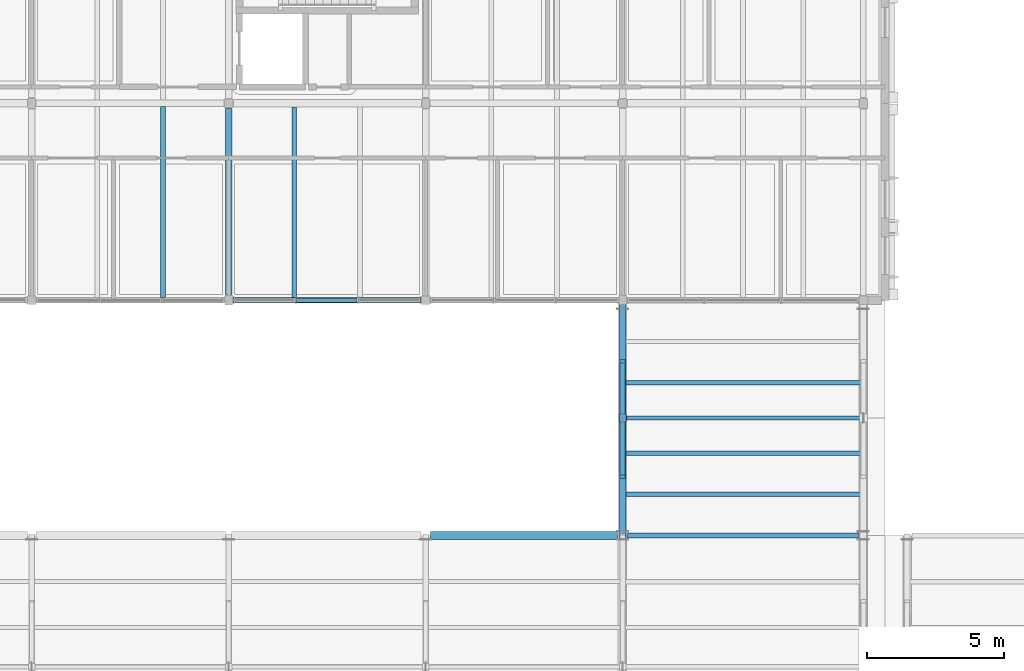
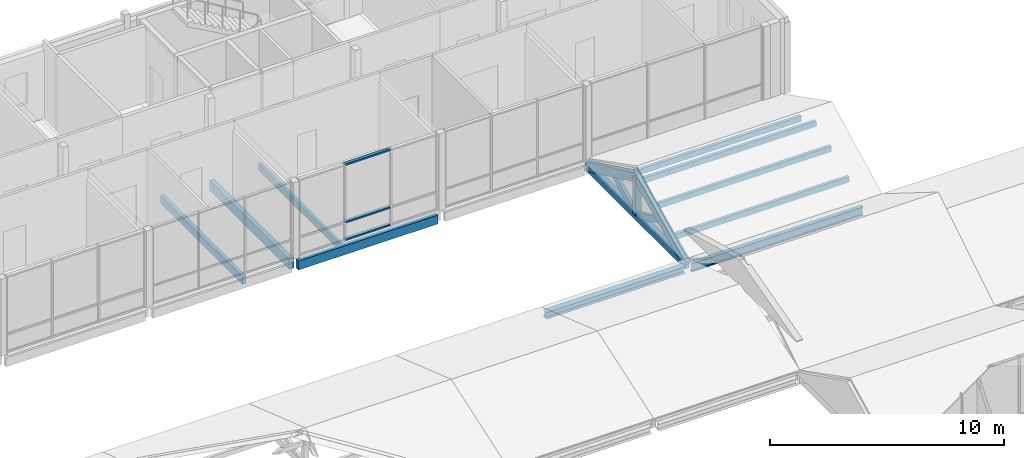
# One storey, part 25 of 115: 13 members, 6 beams, 1 element without a shape of its own.
"""IFC4 building model written with IfcOpenShell, lengths in metres."""

from ifc_helpers import new_model, si_unit, direction, frame, origin, origin_2d, place, context, subcontext, project, spatial, rectangle, hollow_rectangle, i_section, extrude, material, material_profile, profile_set, type_object, element, aggregate, save


model = new_model("IFC4")

# Units and contexts
model_context = context("Model", 3, precision=1e-05, world=origin(), true_north=direction((0.0, 1.0)))
body_context = subcontext(model_context, "Body", "Model", "MODEL_VIEW")
ifc_project = project(units=[si_unit("LENGTHUNIT", "METRE"), si_unit("AREAUNIT", "SQUARE_METRE"), si_unit("VOLUMEUNIT", "CUBIC_METRE"), si_unit("PLANEANGLEUNIT", "RADIAN"), si_unit("MASSUNIT", "GRAM", prefix="KILO")], contexts=[model_context])

# Site, building, storey
site_placement = place(None, origin())
site = spatial("IfcSite", under=ifc_project, at=site_placement, CompositionType="ELEMENT")
building_placement = place(site_placement, origin())
building = spatial("IfcBuilding", under=site, at=building_placement, Name="Hawrajan Terrace Health Centre", CompositionType="ELEMENT")
storey_placement = place(building_placement, frame((0.0, 0.0, 9.0)))
storey = spatial("IfcBuildingStorey", under=building, at=storey_placement, Name="L02", CompositionType="ELEMENT", Elevation=9.0)

# Curtain wall, members
ifc_material_1 = material(Name="Anodized bronze aluminium and low-E solar glazing", Category="aluminium")
curtain_wall_type = type_object("IfcCurtainWallType", Name="CW_Hall_SeriesD2", PredefinedType="USERDEFINED", material=ifc_material_1)
curtain_wall_placement = place(storey_placement, origin())
curtain_wall = element("IfcCurtainWall", 1, at=curtain_wall_placement, inside=storey, type_object=curtain_wall_type, Name="Curtain wall CW-L02-131", ObjectType="UNITISED CURTAIN WALL", PredefinedType="USERDEFINED")
ifc_material_2 = material(Name="Anodized bronze aluminium 6063-T6", Category="aluminium")
ifc_material_profile_1 = material_profile(ifc_material_2, hollow_rectangle(XDim=0.074951171875, YDim=0.169921875, WallThickness=0.00439453125, at=origin_2d()), Name="CW TRN 75x170")
ifc_profile_set_1 = profile_set([ifc_material_profile_1], Name="Anodized bronze aluminium 6063-T6")
member_type_1 = type_object("IfcMemberType", Name="CWTransom_75x170", PredefinedType="USERDEFINED", material=ifc_profile_set_1)
member_1_placement = place(storey_placement, frame((50.283935546875, 45.39990234375, 0.03759765625), z_axis=(1.0, 0.0, 0.0), x_axis=(0.0, 0.0, 1.0)))
member_1 = element("IfcMember", 2, at=member_1_placement, type_object=member_type_1, Name="Transom CW-L02-131-T2-1", ObjectType="TRANSOM", PredefinedType="USERDEFINED", context=body_context, shape_type="SweptSolid", body=[
    extrude(hollow_rectangle(XDim=0.074951171875, YDim=0.169921875, WallThickness=0.00439453125, at=origin_2d()), origin(), (0.0, 0.0, 1.0), 2.212158203125),
])
member_2_placement = place(storey_placement, frame((50.283935546875, 45.39990234375, 0.949951171875), z_axis=(1.0, 0.0, 0.0), x_axis=(0.0, 0.0, 1.0)))
member_2 = element("IfcMember", 3, at=member_2_placement, type_object=member_type_1, Name="Transom CW-L02-131-T2-2", ObjectType="TRANSOM", PredefinedType="USERDEFINED", context=body_context, shape_type="SweptSolid", body=[
    extrude(hollow_rectangle(XDim=0.074951171875, YDim=0.169921875, WallThickness=0.00439453125, at=origin_2d()), origin(), (0.0, 0.0, 1.0), 2.212158203125),
])
member_3_placement = place(storey_placement, frame((50.283935546875, 45.39990234375, 3.952392578125), z_axis=(1.0, 0.0, 0.0), x_axis=(0.0, 0.0, 1.0)))
member_3 = element("IfcMember", 4, at=member_3_placement, type_object=member_type_1, Name="Transom CW-L02-131-T2-3", ObjectType="TRANSOM", PredefinedType="USERDEFINED", context=body_context, shape_type="SweptSolid", body=[
    extrude(hollow_rectangle(XDim=0.074951171875, YDim=0.169921875, WallThickness=0.00439453125, at=origin_2d()), origin(), (0.0, 0.0, 1.0), 2.212158203125),
])
aggregate(curtain_wall, [member_1, member_2, member_3])

# Beams
ifc_material_3 = material(Name="Glulam GL32h", Category="wood")
ifc_material_profile_2 = material_profile(ifc_material_3, rectangle(XDim=0.239990234375, YDim=0.52001953125, at=origin_2d()), Name="GL BM 240x520")
ifc_profile_set_2 = profile_set([ifc_material_profile_2], Name="Glulam GL32h")
beam_type_1 = type_object("IfcBeamType", Name="GlulamGirder_240x520", PredefinedType="BEAM", material=ifc_profile_set_2)
beam_1_placement = place(storey_placement, frame((47.800048828125, 45.610107421875, -0.5), z_axis=(0.0, 1.0, 0.0), x_axis=(-1.0, 0.0, 0.0)))
element("IfcBeam", 5, at=beam_1_placement, inside=storey, type_object=beam_type_1, Name="Beam BM-Y-L02-W-X07-6", PredefinedType="BEAM", context=body_context, shape_type="SweptSolid", body=[
    extrude(rectangle(XDim=0.239990234375, YDim=0.52001953125, at=origin_2d()), origin(), (0.0, 0.0, 1.0), 6.809814453125),
])
ifc_material_4 = material(Name="Glulam GL28h", Category="wood")
ifc_material_profile_3 = material_profile(ifc_material_4, rectangle(XDim=0.159912109375, YDim=0.360107421875, at=origin_2d()), Name="GL JST 160x360")
ifc_profile_set_3 = profile_set([ifc_material_profile_3], Name="Glulam GL28h")
beam_type_2 = type_object("IfcBeamType", Name="GlulamJoist_160x360", PredefinedType="JOIST", material=ifc_profile_set_3)
beam_2_placement = place(storey_placement, frame((50.199951171875, 45.5, -0.419921875), z_axis=(0.0, 1.0, 0.0), x_axis=(-1.0, 0.0, 0.0)))
element("IfcBeam", 6, at=beam_2_placement, inside=storey, type_object=beam_type_2, Name="Secondary joist JST-L02-W-07-6-1", PredefinedType="JOIST", context=body_context, shape_type="SweptSolid", body=[
    extrude(rectangle(XDim=0.159912109375, YDim=0.360107421875, at=origin_2d()), origin(), (0.0, 0.0, 1.0), 6.9599609375),
])
ifc_material_profile_4 = material_profile(ifc_material_4, rectangle(XDim=0.179931640625, YDim=0.39990234375, at=origin_2d()), Name="GL JST 180x400")
ifc_profile_set_4 = profile_set([ifc_material_profile_4], Name="Glulam GL28h")
beam_type_3 = type_object("IfcBeamType", Name="GlulamJoist_180x400", PredefinedType="JOIST", material=ifc_profile_set_4)
beam_3_placement = place(storey_placement, frame((45.39990234375, 45.5, -0.43994140625), z_axis=(0.0, 1.0, 0.0), x_axis=(-1.0, 0.0, 0.0)))
element("IfcBeam", 7, at=beam_3_placement, inside=storey, type_object=beam_type_3, Name="Secondary joist JST-L02-W-06-6-2", PredefinedType="JOIST", context=body_context, shape_type="SweptSolid", body=[
    extrude(rectangle(XDim=0.179931640625, YDim=0.39990234375, at=origin_2d()), origin(), (0.0, 0.0, 1.0), 6.97998046875),
])
ifc_material_profile_5 = material_profile(ifc_material_3, rectangle(XDim=0.199951171875, YDim=0.4599609375, at=origin_2d()), Name="GL SP 200x460")
ifc_profile_set_5 = profile_set([ifc_material_profile_5], Name="Glulam GL32h")
beam_type_4 = type_object("IfcBeamType", Name="GlulamSpandrel_200x460", PredefinedType="SPANDREL", material=ifc_profile_set_5)
beam_4_placement = place(storey_placement, frame((47.9599609375, 45.39990234375, -0.469970703125), z_axis=(1.0, 0.0, 0.0), x_axis=(0.0, 1.0, 0.0)))
element("IfcBeam", 8, at=beam_4_placement, inside=storey, type_object=beam_type_4, Name="Beam BM-X-L02-W-07-Y6", PredefinedType="SPANDREL", context=body_context, shape_type="SweptSolid", body=[
    extrude(rectangle(XDim=0.199951171875, YDim=0.4599609375, at=origin_2d()), origin(), (0.0, 0.0, 1.0), 6.860107421875),
])

# Members
ifc_material_profile_6 = material_profile(ifc_material_4, rectangle(XDim=0.159912109375, YDim=0.280029296875, at=origin_2d()), Name="GL PUR 160x280")
ifc_profile_set_6 = profile_set([ifc_material_profile_6], Name="Glulam GL28h")
member_type_2 = type_object("IfcMemberType", Name="RoofPurlin_160x280", PredefinedType="PURLIN", material=ifc_profile_set_6)
for number, where, z_axis, x_axis, name in (
    (9, (62.199951171875, 38.304931640625, 0.24267578125), (1.0, 0.0, 0.0), (0.0, 1.0, 0.0), "Tent roof purlin 09-TRL-NC-S1"),
    (10, (62.199951171875, 39.81005859375, 0.925537109375), (1.0, 0.0, 0.0), (0.0, 1.0, 0.0), "Tent roof purlin 09-TRL-NC-S2"),
    (11, (62.199951171875, 42.389892578125, 0.925537109375), (1.0, 0.0, 0.0), (0.0, 1.0, 0.0), "Tent roof purlin 09-TRL-NC-N2"),
    (12, (62.199951171875, 41.10009765625, 1.45068359375), (1.0, 0.0, 0.0), (0.0, 1.0, 0.0), "Tent ridge purlin 09-TRL-NC"),
):
    element("IfcMember", number, at=place(storey_placement, frame(where, z_axis=z_axis, x_axis=x_axis)), inside=storey, type_object=member_type_2, Name=name, PredefinedType="PURLIN", context=body_context, shape_type="SweptSolid", body=[
        extrude(rectangle(XDim=0.159912109375, YDim=0.280029296875, at=origin_2d()), origin(), (0.0, 0.0, 1.0), 8.800048828125),
    ])

# Beams
ifc_material_5 = material(Name="Steel S355", Category="steel")
ifc_material_profile_7 = material_profile(ifc_material_5, i_section(OverallWidth=0.300048828125, OverallDepth=0.35009765625, WebThickness=0.010009765625, FlangeThickness=0.017578125, FilletRadius=0.027099609375, at=origin_2d()), Name="HEA 360")
ifc_profile_set_7 = profile_set([ifc_material_profile_7], Name="Steel S355")
beam_type_5 = type_object("IfcBeamType", Name="SteelBeam_HEA360", PredefinedType="BEAM", material=ifc_profile_set_7)
beam_5_placement = place(storey_placement, frame((55.179931640625, 36.800048828125, -0.375), z_axis=(1.0, 0.0, 0.0), x_axis=(0.0, 1.0, 0.0)))
element("IfcBeam", 13, at=beam_5_placement, inside=storey, type_object=beam_type_5, Name="Beam BM-X-L02-W-08-Y5", PredefinedType="BEAM", context=body_context, shape_type="SweptSolid", body=[
    extrude(i_section(OverallWidth=0.300048828125, OverallDepth=0.35009765625, WebThickness=0.010009765625, FlangeThickness=0.017578125, FilletRadius=0.027099609375, at=origin_2d()), origin(), (0.0, 0.0, 1.0), 6.840087890625),
])
ifc_material_profile_8 = material_profile(ifc_material_5, i_section(OverallWidth=0.18994140625, OverallDepth=0.449951171875, WebThickness=0.009521484375, FlangeThickness=0.0146484375, FilletRadius=0.02099609375, at=origin_2d()), Name="IPE 450")
ifc_profile_set_8 = profile_set([ifc_material_profile_8], Name="Steel S355")
beam_type_6 = type_object("IfcBeamType", Name="SteelBeam_IPE450", PredefinedType="BEAM", material=ifc_profile_set_8)
beam_6_placement = place(storey_placement, frame((62.3798828125, 36.800048828125, -0.425048828125), z_axis=(1.0, 0.0, 0.0), x_axis=(0.0, 1.0, 0.0)))
element("IfcBeam", 14, at=beam_6_placement, inside=storey, type_object=beam_type_6, Name="Beam BM-X-L02-W-09-Y5", PredefinedType="BEAM", context=body_context, shape_type="SweptSolid", body=[
    extrude(i_section(OverallWidth=0.18994140625, OverallDepth=0.449951171875, WebThickness=0.009521484375, FlangeThickness=0.0146484375, FilletRadius=0.02099609375, at=origin_2d()), origin(), (0.0, 0.0, 1.0), 8.440185546875),
])

# Members
ifc_material_profile_9 = material_profile(ifc_material_3, rectangle(XDim=0.239990234375, YDim=0.43994140625, at=origin_2d()), Name="GL CHD 240x440")
ifc_profile_set_9 = profile_set([ifc_material_profile_9], Name="Glulam GL32h")
member_type_3 = type_object("IfcMemberType", Name="TrussChord_240x440", PredefinedType="CHORD", material=ifc_profile_set_9)
member_4_placement = place(storey_placement, frame((62.199951171875, 36.800048828125, -0.219970703125), z_axis=(0.0, 1.0, 0.0), x_axis=(-1.0, 0.0, 0.0)))
element("IfcMember", 15, at=member_4_placement, inside=storey, type_object=member_type_3, Name="Glulam truss tie chord W-G09-TRL-NC", PredefinedType="CHORD", context=body_context, shape_type="SweptSolid", body=[
    extrude(rectangle(XDim=0.239990234375, YDim=0.43994140625, at=origin_2d()), origin(), (0.0, 0.0, 1.0), 8.43994140625),
])
member_5_placement = place(storey_placement, frame((62.199951171875, 36.800048828125, -0.219970703125), z_axis=(0.0, 0.910676096681, 0.413121104439), x_axis=(-1.0, 0.0, 0.0)))
element("IfcMember", 16, at=member_5_placement, inside=storey, type_object=member_type_3, Name="Glulam truss south top chord W-G09-TRL-NC", PredefinedType="CHORD", context=body_context, shape_type="SweptSolid", body=[
    extrude(rectangle(XDim=0.239990234375, YDim=0.43994140625, at=origin_2d()), origin(), (0.0, 0.0, 1.0), 4.721923828125),
])
member_6_placement = place(storey_placement, frame((62.199951171875, 41.10009765625, 1.730712890625), z_axis=(0.0, 0.904608225534, -0.426244012621), x_axis=(-1.0, 0.0, 0.0)))
element("IfcMember", 17, at=member_6_placement, inside=storey, type_object=member_type_3, Name="Glulam truss north top chord W-G09-TRL-NC", PredefinedType="CHORD", context=body_context, shape_type="SweptSolid", body=[
    extrude(rectangle(XDim=0.239990234375, YDim=0.43994140625, at=origin_2d()), origin(), (0.0, 0.0, 1.0), 4.576416015625),
])
ifc_material_profile_10 = material_profile(ifc_material_4, rectangle(XDim=0.280029296875, YDim=0.280029296875, at=origin_2d()), Name="GL KP 280x280")
ifc_profile_set_10 = profile_set([ifc_material_profile_10], Name="Glulam GL28h")
member_type_4 = type_object("IfcMemberType", Name="TrussKingPost_280x280", PredefinedType="STRUT", material=ifc_profile_set_10)
member_7_placement = place(storey_placement, frame((62.199951171875, 41.10009765625, -0.219970703125), z_axis=(0.0, 0.0, 1.0), x_axis=(1.0, 0.0, 0.0)))
element("IfcMember", 18, at=member_7_placement, inside=storey, type_object=member_type_4, Name="Glulam truss king post W-G09-TRL-NC", PredefinedType="STRUT", context=body_context, shape_type="SweptSolid", body=[
    extrude(rectangle(XDim=0.280029296875, YDim=0.280029296875, at=origin_2d()), origin(), (0.0, 0.0, 1.0), 1.95068359375),
])
ifc_material_profile_11 = material_profile(ifc_material_4, rectangle(XDim=0.179931640625, YDim=0.280029296875, at=origin_2d()), Name="GL WEB 180x280")
ifc_profile_set_11 = profile_set([ifc_material_profile_11], Name="Glulam GL28h")
member_type_5 = type_object("IfcMemberType", Name="TrussStrut_180x280", PredefinedType="STRUT", material=ifc_profile_set_11)
member_8_placement = place(storey_placement, frame((62.199951171875, 41.10009765625, -0.219970703125), z_axis=(0.0, -0.910684920462, 0.413101652918), x_axis=(1.0, 0.0, 0.0)))
element("IfcMember", 19, at=member_8_placement, inside=storey, type_object=member_type_5, Name="Glulam truss web strut S W-G09-TRL-NC", PredefinedType="STRUT", context=body_context, shape_type="SweptSolid", body=[
    extrude(rectangle(XDim=0.179931640625, YDim=0.280029296875, at=origin_2d()), origin(), (0.0, 0.0, 1.0), 2.361083984375),
])
member_9_placement = place(storey_placement, frame((62.199951171875, 41.10009765625, -0.219970703125), z_axis=(0.0, 0.904598532505, 0.426264583316), x_axis=(-1.0, 0.0, 0.0)))
element("IfcMember", 20, at=member_9_placement, inside=storey, type_object=member_type_5, Name="Glulam truss web strut N W-G09-TRL-NC", PredefinedType="STRUT", context=body_context, shape_type="SweptSolid", body=[
    extrude(rectangle(XDim=0.179931640625, YDim=0.280029296875, at=origin_2d()), origin(), (0.0, 0.0, 1.0), 2.2880859375),
])

save(model, "model.ifc")
